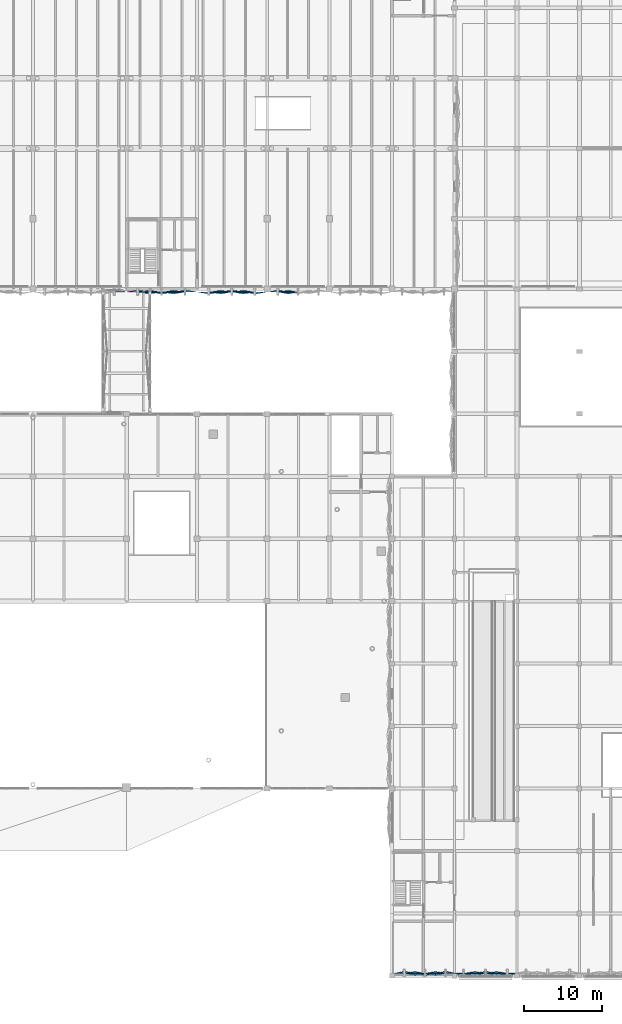
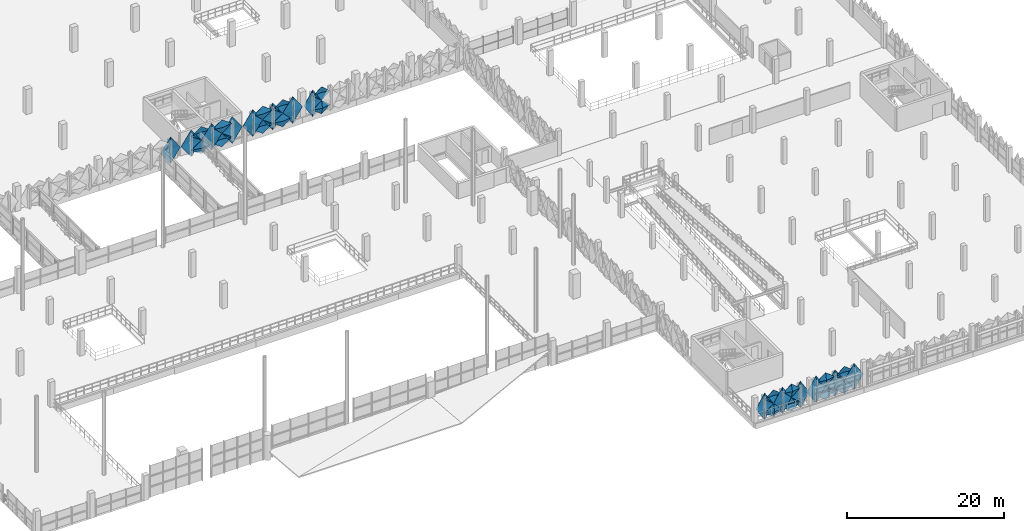
# One storey, part 93 of 123: 32 plates.
"""IFC4 building model written with IfcOpenShell, lengths in metres."""

from ifc_helpers import new_model, si_unit, derived_unit, direction, frame, origin, place, context, subcontext, project, spatial, polygons, material, layer, layer_set, type_object, element, save


model = new_model("IFC4")

# Units and contexts
model_context = context("Model", 3, precision=1e-05, world=origin(), true_north=direction((0.0, 1.0)))
body_context = subcontext(model_context, "Body", "Model", "MODEL_VIEW")
ifc_project = project(units=[si_unit("LENGTHUNIT", "METRE"), si_unit("AREAUNIT", "SQUARE_METRE"), si_unit("VOLUMEUNIT", "CUBIC_METRE"), si_unit("PLANEANGLEUNIT", "RADIAN"), si_unit("MASSUNIT", "GRAM", prefix="KILO"), si_unit("THERMODYNAMICTEMPERATUREUNIT", "KELVIN"), derived_unit("THERMALTRANSMITTANCEUNIT", [(si_unit("POWERUNIT", "WATT"), 1), (si_unit("AREAUNIT", "SQUARE_METRE"), -1), (si_unit("THERMODYNAMICTEMPERATUREUNIT", "KELVIN"), -1)])], contexts=[model_context])

# Site, building, storey
site_placement = place(None, origin())
site = spatial("IfcSite", under=ifc_project, at=site_placement, CompositionType="ELEMENT")
building_placement = place(site_placement, origin())
building = spatial("IfcBuilding", under=site, at=building_placement, Name="Haiyu Intermodal Mobility Hub", CompositionType="ELEMENT")
storey_placement = place(building_placement, frame((0.0, 0.0, 5.60009765625)))
storey = spatial("IfcBuildingStorey", under=building, at=storey_placement, Name="L01", CompositionType="ELEMENT", Elevation=5.60009765625)

# Plates
ifc_material = material(Name="Anodised aluminium 6063-T6", Category="aluminium")
ifc_layer_1 = layer(ifc_material, 0.02001953125)
ifc_layer_set_1 = layer_set([ifc_layer_1], Name="Anodised aluminium 6063-T6")
plate_type_1 = type_object("IfcPlateType", Name="PLT-FC02", PredefinedType="USERDEFINED", material=ifc_layer_set_1)
plate_1_placement = place(storey_placement, origin())
element("IfcPlate", 1, at=plate_1_placement, inside=storey, type_object=plate_type_1, Name="PLT-PYR-0904", ObjectType="FACADE CASSETTE", PredefinedType="USERDEFINED", context=body_context, shape_type="Tessellation", body=[
    polygons([(118.43994140625, 103.60009765625, -0.510009765625), (119.89990234375, 103.60009765625, 1.599853515625), (118.43994140625, 103.60009765625, 3.7099609375), (116.97998046875, 103.60009765625, 1.599853515625), (118.43994140625, 103.860107421875, 1.599853515625), (118.43994140625, 103.6220703125, -0.510009765625), (119.89990234375, 103.6220703125, 1.599853515625), (118.43994140625, 103.6220703125, 3.7099609375), (116.97998046875, 103.6220703125, 1.599853515625), (118.43994140625, 103.882080078125, 1.599853515625)], [[[1, 2, 5]], [[2, 3, 5]], [[3, 4, 5]], [[4, 1, 5]], [[7, 6, 10]], [[8, 7, 10]], [[9, 8, 10]], [[6, 9, 10]], [[1, 6, 7, 2]], [[2, 7, 8, 3]], [[3, 8, 9, 4]], [[4, 9, 6, 1]]], closed=True),
])
ifc_layer_2 = layer(ifc_material, 0.01806640625)
ifc_layer_set_2 = layer_set([ifc_layer_2], Name="Anodised aluminium 6063-T6")
plate_type_2 = type_object("IfcPlateType", Name="PLT-FC03", PredefinedType="USERDEFINED", material=ifc_layer_set_2)
plate_2_placement = place(storey_placement, origin())
element("IfcPlate", 2, at=plate_2_placement, inside=storey, type_object=plate_type_2, Name="PLT-PYR-0945", ObjectType="FACADE CASSETTE", PredefinedType="USERDEFINED", context=body_context, shape_type="Tessellation", body=[
    polygons([(130.552978515625, 103.60009765625, -0.510009765625), (132.007080078125, 103.60009765625, 1.599853515625), (130.552978515625, 103.60009765625, 3.7099609375), (129.10009765625, 103.60009765625, 1.599853515625), (130.552978515625, 103.320068359375, 1.599853515625), (130.552978515625, 103.6220703125, -0.510009765625), (132.007080078125, 103.6220703125, 1.599853515625), (130.552978515625, 103.6220703125, 3.7099609375), (129.10009765625, 103.6220703125, 1.599853515625), (130.552978515625, 103.342041015625, 1.599853515625)], [[[1, 2, 5]], [[2, 3, 5]], [[3, 4, 5]], [[4, 1, 5]], [[7, 6, 10]], [[8, 7, 10]], [[9, 8, 10]], [[6, 9, 10]], [[1, 6, 7, 2]], [[2, 7, 8, 3]], [[3, 8, 9, 4]], [[4, 9, 6, 1]]], closed=True),
])
plate_3_placement = place(storey_placement, origin())
element("IfcPlate", 3, at=plate_3_placement, inside=storey, type_object=plate_type_2, Name="PLT-PYR-0949", ObjectType="FACADE CASSETTE", PredefinedType="USERDEFINED", context=body_context, shape_type="Tessellation", body=[
    polygons([(134.972900390625, 103.60009765625, -0.52001953125), (136.427001953125, 103.60009765625, 0.52978515625), (134.972900390625, 103.60009765625, 1.579833984375), (133.52001953125, 103.60009765625, 0.52978515625), (134.972900390625, 103.340087890625, 0.52978515625), (134.972900390625, 103.6220703125, -0.52001953125), (136.427001953125, 103.6220703125, 0.52978515625), (134.972900390625, 103.6220703125, 1.579833984375), (133.52001953125, 103.6220703125, 0.52978515625), (134.972900390625, 103.362060546875, 0.52978515625)], [[[1, 2, 5]], [[2, 3, 5]], [[3, 4, 5]], [[4, 1, 5]], [[7, 6, 10]], [[8, 7, 10]], [[9, 8, 10]], [[6, 9, 10]], [[1, 6, 7, 2]], [[2, 7, 8, 3]], [[3, 8, 9, 4]], [[4, 9, 6, 1]]], closed=True),
])
plate_4_placement = place(storey_placement, origin())
element("IfcPlate", 4, at=plate_4_placement, inside=storey, type_object=plate_type_2, Name="PLT-PYR-0981", ObjectType="FACADE CASSETTE", PredefinedType="USERDEFINED", context=body_context, shape_type="Tessellation", body=[
    polygons([(140.693115234375, 103.60009765625, -0.52001953125), (141.97998046875, 103.60009765625, 0.52978515625), (140.693115234375, 103.60009765625, 1.579833984375), (139.406982421875, 103.60009765625, 0.52978515625), (140.693115234375, 103.340087890625, 0.52978515625), (140.693115234375, 103.6220703125, -0.52001953125), (141.97998046875, 103.6220703125, 0.52978515625), (140.693115234375, 103.6220703125, 1.579833984375), (139.406982421875, 103.6220703125, 0.52978515625), (140.693115234375, 103.362060546875, 0.52978515625)], [[[1, 2, 5]], [[2, 3, 5]], [[3, 4, 5]], [[4, 1, 5]], [[7, 6, 10]], [[8, 7, 10]], [[9, 8, 10]], [[6, 9, 10]], [[1, 6, 7, 2]], [[2, 7, 8, 3]], [[3, 8, 9, 4]], [[4, 9, 6, 1]]], closed=True),
])
plate_5_placement = place(storey_placement, origin())
element("IfcPlate", 5, at=plate_5_placement, inside=storey, type_object=plate_type_2, Name="PLT-PYR-1480", ObjectType="FACADE CASSETTE", PredefinedType="USERDEFINED", context=body_context, shape_type="Tessellation", body=[
    polygons([(156.93310546875, 16.320068359375, -0.52001953125), (158.22998046875, 16.320068359375, 0.52978515625), (156.93310546875, 16.320068359375, 1.579833984375), (155.636962890625, 16.320068359375, 0.52978515625), (156.93310546875, 16.06005859375, 0.52978515625), (156.93310546875, 16.342041015625, -0.52001953125), (158.22998046875, 16.342041015625, 0.52978515625), (156.93310546875, 16.342041015625, 1.579833984375), (155.636962890625, 16.342041015625, 0.52978515625), (156.93310546875, 16.08203125, 0.52978515625)], [[[1, 2, 5]], [[2, 3, 5]], [[3, 4, 5]], [[4, 1, 5]], [[7, 6, 10]], [[8, 7, 10]], [[9, 8, 10]], [[6, 9, 10]], [[1, 6, 7, 2]], [[2, 7, 8, 3]], [[3, 8, 9, 4]], [[4, 9, 6, 1]]], closed=True),
])
plate_6_placement = place(storey_placement, origin())
element("IfcPlate", 6, at=plate_6_placement, inside=storey, type_object=plate_type_2, Name="PLT-PYR-1486", ObjectType="FACADE CASSETTE", PredefinedType="USERDEFINED", context=body_context, shape_type="Tessellation", body=[
    polygons([(163.199951171875, 16.320068359375, -0.510009765625), (164.580078125, 16.320068359375, 1.599853515625), (163.199951171875, 16.320068359375, 3.7099609375), (161.820068359375, 16.320068359375, 1.599853515625), (163.199951171875, 16.0400390625, 1.599853515625), (163.199951171875, 16.342041015625, -0.510009765625), (164.580078125, 16.342041015625, 1.599853515625), (163.199951171875, 16.342041015625, 3.7099609375), (161.820068359375, 16.342041015625, 1.599853515625), (163.199951171875, 16.06201171875, 1.599853515625)], [[[1, 2, 5]], [[2, 3, 5]], [[3, 4, 5]], [[4, 1, 5]], [[7, 6, 10]], [[8, 7, 10]], [[9, 8, 10]], [[6, 9, 10]], [[1, 6, 7, 2]], [[2, 7, 8, 3]], [[3, 8, 9, 4]], [[4, 9, 6, 1]]], closed=True),
])
plate_7_placement = place(storey_placement, origin())
element("IfcPlate", 7, at=plate_7_placement, inside=storey, type_object=plate_type_2, Name="PLT-PYR-1490", ObjectType="FACADE CASSETTE", PredefinedType="USERDEFINED", context=body_context, shape_type="Tessellation", body=[
    polygons([(167.39990234375, 16.320068359375, -0.52001953125), (168.780029296875, 16.320068359375, 0.52978515625), (167.39990234375, 16.320068359375, 1.579833984375), (166.02001953125, 16.320068359375, 0.52978515625), (167.39990234375, 16.06005859375, 0.52978515625), (167.39990234375, 16.342041015625, -0.52001953125), (168.780029296875, 16.342041015625, 0.52978515625), (167.39990234375, 16.342041015625, 1.579833984375), (166.02001953125, 16.342041015625, 0.52978515625), (167.39990234375, 16.08203125, 0.52978515625)], [[[1, 2, 5]], [[2, 3, 5]], [[3, 4, 5]], [[4, 1, 5]], [[7, 6, 10]], [[8, 7, 10]], [[9, 8, 10]], [[6, 9, 10]], [[1, 6, 7, 2]], [[2, 7, 8, 3]], [[3, 8, 9, 4]], [[4, 9, 6, 1]]], closed=True),
])
plate_8_placement = place(storey_placement, origin())
element("IfcPlate", 8, at=plate_8_placement, inside=storey, type_object=plate_type_2, Name="PLT-PYR-2198", ObjectType="FACADE CASSETTE", PredefinedType="USERDEFINED", context=body_context, shape_type="Tessellation", body=[
    polygons([(122.98291015625, 103.60009765625, -0.52001953125), (124.47998046875, 103.60009765625, 0.52978515625), (122.98291015625, 103.60009765625, 1.579833984375), (121.487060546875, 103.60009765625, 0.52978515625), (122.98291015625, 103.340087890625, 0.52978515625), (122.98291015625, 103.6220703125, -0.52001953125), (124.47998046875, 103.6220703125, 0.52978515625), (122.98291015625, 103.6220703125, 1.579833984375), (121.487060546875, 103.6220703125, 0.52978515625), (122.98291015625, 103.362060546875, 0.52978515625)], [[[1, 2, 5]], [[2, 3, 5]], [[3, 4, 5]], [[4, 1, 5]], [[7, 6, 10]], [[8, 7, 10]], [[9, 8, 10]], [[6, 9, 10]], [[1, 6, 7, 2]], [[2, 7, 8, 3]], [[3, 8, 9, 4]], [[4, 9, 6, 1]]], closed=True),
])
ifc_layer_3 = layer(ifc_material, 0.02001953125)
ifc_layer_set_3 = layer_set([ifc_layer_3], Name="Anodised aluminium 6063-T6")
plate_type_3 = type_object("IfcPlateType", Name="PLT-FC04", PredefinedType="USERDEFINED", material=ifc_layer_set_3)
plate_9_placement = place(storey_placement, origin())
element("IfcPlate", 9, at=plate_9_placement, inside=storey, type_object=plate_type_3, Name="PLT-PYR-0946", ObjectType="FACADE CASSETTE", PredefinedType="USERDEFINED", context=body_context, shape_type="Tessellation", body=[
    polygons([(132.027099609375, 103.60009765625, -0.52001953125), (133.47998046875, 103.60009765625, 0.52978515625), (132.027099609375, 103.60009765625, 1.579833984375), (130.572998046875, 103.60009765625, 0.52978515625), (132.027099609375, 103.820068359375, 0.52978515625), (132.027099609375, 103.6220703125, -0.52001953125), (133.47998046875, 103.6220703125, 0.52978515625), (132.027099609375, 103.6220703125, 1.579833984375), (130.572998046875, 103.6220703125, 0.52978515625), (132.027099609375, 103.842041015625, 0.52978515625)], [[[1, 2, 5]], [[2, 3, 5]], [[3, 4, 5]], [[4, 1, 5]], [[7, 6, 10]], [[8, 7, 10]], [[9, 8, 10]], [[6, 9, 10]], [[1, 6, 7, 2]], [[2, 7, 8, 3]], [[3, 8, 9, 4]], [[4, 9, 6, 1]]], closed=True),
])
plate_10_placement = place(storey_placement, origin())
element("IfcPlate", 10, at=plate_10_placement, inside=storey, type_object=plate_type_3, Name="PLT-PYR-0980", ObjectType="FACADE CASSETTE", PredefinedType="USERDEFINED", context=body_context, shape_type="Tessellation", body=[
    polygons([(139.386962890625, 103.60009765625, -0.510009765625), (140.673095703125, 103.60009765625, 1.599853515625), (139.386962890625, 103.60009765625, 3.7099609375), (138.10009765625, 103.60009765625, 1.599853515625), (139.386962890625, 103.860107421875, 1.599853515625), (139.386962890625, 103.6220703125, -0.510009765625), (140.673095703125, 103.6220703125, 1.599853515625), (139.386962890625, 103.6220703125, 3.7099609375), (138.10009765625, 103.6220703125, 1.599853515625), (139.386962890625, 103.882080078125, 1.599853515625)], [[[1, 2, 5]], [[2, 3, 5]], [[3, 4, 5]], [[4, 1, 5]], [[7, 6, 10]], [[8, 7, 10]], [[9, 8, 10]], [[6, 9, 10]], [[1, 6, 7, 2]], [[2, 7, 8, 3]], [[3, 8, 9, 4]], [[4, 9, 6, 1]]], closed=True),
])
plate_11_placement = place(storey_placement, origin())
element("IfcPlate", 11, at=plate_11_placement, inside=storey, type_object=plate_type_3, Name="PLT-PYR-1479", ObjectType="FACADE CASSETTE", PredefinedType="USERDEFINED", context=body_context, shape_type="Tessellation", body=[
    polygons([(155.616943359375, 16.320068359375, -0.510009765625), (156.9130859375, 16.320068359375, 1.599853515625), (155.616943359375, 16.320068359375, 3.7099609375), (154.320068359375, 16.320068359375, 1.599853515625), (155.616943359375, 16.580078125, 1.599853515625), (155.616943359375, 16.342041015625, -0.510009765625), (156.9130859375, 16.342041015625, 1.599853515625), (155.616943359375, 16.342041015625, 3.7099609375), (154.320068359375, 16.342041015625, 1.599853515625), (155.616943359375, 16.60205078125, 1.599853515625)], [[[1, 2, 5]], [[2, 3, 5]], [[3, 4, 5]], [[4, 1, 5]], [[7, 6, 10]], [[8, 7, 10]], [[9, 8, 10]], [[6, 9, 10]], [[1, 6, 7, 2]], [[2, 7, 8, 3]], [[3, 8, 9, 4]], [[4, 9, 6, 1]]], closed=True),
])
plate_12_placement = place(storey_placement, origin())
element("IfcPlate", 12, at=plate_12_placement, inside=storey, type_object=plate_type_3, Name="PLT-PYR-1483", ObjectType="FACADE CASSETTE", PredefinedType="USERDEFINED", context=body_context, shape_type="Tessellation", body=[
    polygons([(159.56689453125, 16.320068359375, -0.52001953125), (160.863037109375, 16.320068359375, 0.52978515625), (159.56689453125, 16.320068359375, 1.579833984375), (158.27001953125, 16.320068359375, 0.52978515625), (159.56689453125, 16.5400390625, 0.52978515625), (159.56689453125, 16.342041015625, -0.52001953125), (160.863037109375, 16.342041015625, 0.52978515625), (159.56689453125, 16.342041015625, 1.579833984375), (158.27001953125, 16.342041015625, 0.52978515625), (159.56689453125, 16.56201171875, 0.52978515625)], [[[1, 2, 5]], [[2, 3, 5]], [[3, 4, 5]], [[4, 1, 5]], [[7, 6, 10]], [[8, 7, 10]], [[9, 8, 10]], [[6, 9, 10]], [[1, 6, 7, 2]], [[2, 7, 8, 3]], [[3, 8, 9, 4]], [[4, 9, 6, 1]]], closed=True),
])
plate_13_placement = place(storey_placement, origin())
element("IfcPlate", 13, at=plate_13_placement, inside=storey, type_object=plate_type_3, Name="PLT-PYR-1487", ObjectType="FACADE CASSETTE", PredefinedType="USERDEFINED", context=body_context, shape_type="Tessellation", body=[
    polygons([(164.60009765625, 16.320068359375, -0.52001953125), (165.97998046875, 16.320068359375, 0.52978515625), (164.60009765625, 16.320068359375, 1.579833984375), (163.219970703125, 16.320068359375, 0.52978515625), (164.60009765625, 16.5400390625, 0.52978515625), (164.60009765625, 16.342041015625, -0.52001953125), (165.97998046875, 16.342041015625, 0.52978515625), (164.60009765625, 16.342041015625, 1.579833984375), (163.219970703125, 16.342041015625, 0.52978515625), (164.60009765625, 16.56201171875, 0.52978515625)], [[[1, 2, 5]], [[2, 3, 5]], [[3, 4, 5]], [[4, 1, 5]], [[7, 6, 10]], [[8, 7, 10]], [[9, 8, 10]], [[6, 9, 10]], [[1, 6, 7, 2]], [[2, 7, 8, 3]], [[3, 8, 9, 4]], [[4, 9, 6, 1]]], closed=True),
])
plate_14_placement = place(storey_placement, origin())
element("IfcPlate", 14, at=plate_14_placement, inside=storey, type_object=plate_type_3, Name="PLT-PYR-2197", ObjectType="FACADE CASSETTE", PredefinedType="USERDEFINED", context=body_context, shape_type="Tessellation", body=[
    polygons([(121.467041015625, 103.60009765625, -0.510009765625), (122.962890625, 103.60009765625, 1.599853515625), (121.467041015625, 103.60009765625, 3.7099609375), (119.969970703125, 103.60009765625, 1.599853515625), (121.467041015625, 103.860107421875, 1.599853515625), (121.467041015625, 103.6220703125, -0.510009765625), (122.962890625, 103.6220703125, 1.599853515625), (121.467041015625, 103.6220703125, 3.7099609375), (119.969970703125, 103.6220703125, 1.599853515625), (121.467041015625, 103.882080078125, 1.599853515625)], [[[1, 2, 5]], [[2, 3, 5]], [[3, 4, 5]], [[4, 1, 5]], [[7, 6, 10]], [[8, 7, 10]], [[9, 8, 10]], [[6, 9, 10]], [[1, 6, 7, 2]], [[2, 7, 8, 3]], [[3, 8, 9, 4]], [[4, 9, 6, 1]]], closed=True),
])
plate_15_placement = place(storey_placement, origin())
element("IfcPlate", 15, at=plate_15_placement, inside=storey, type_object=plate_type_3, Name="PLT-PYR-2201", ObjectType="FACADE CASSETTE", PredefinedType="USERDEFINED", context=body_context, shape_type="Tessellation", body=[
    polygons([(126.01708984375, 103.60009765625, -0.52001953125), (127.512939453125, 103.60009765625, 0.52978515625), (126.01708984375, 103.60009765625, 1.579833984375), (124.52001953125, 103.60009765625, 0.52978515625), (126.01708984375, 103.820068359375, 0.52978515625), (126.01708984375, 103.6220703125, -0.52001953125), (127.512939453125, 103.6220703125, 0.52978515625), (126.01708984375, 103.6220703125, 1.579833984375), (124.52001953125, 103.6220703125, 0.52978515625), (126.01708984375, 103.842041015625, 0.52978515625)], [[[1, 2, 5]], [[2, 3, 5]], [[3, 4, 5]], [[4, 1, 5]], [[7, 6, 10]], [[8, 7, 10]], [[9, 8, 10]], [[6, 9, 10]], [[1, 6, 7, 2]], [[2, 7, 8, 3]], [[3, 8, 9, 4]], [[4, 9, 6, 1]]], closed=True),
])
ifc_layer_4 = layer(ifc_material, 0.01806640625)
ifc_layer_set_4 = layer_set([ifc_layer_4], Name="Anodised aluminium 6063-T6")
plate_type_4 = type_object("IfcPlateType", Name="PLT-FC05", PredefinedType="USERDEFINED", material=ifc_layer_set_4)
plate_16_placement = place(storey_placement, origin())
element("IfcPlate", 16, at=plate_16_placement, inside=storey, type_object=plate_type_4, Name="PLT-PYR-0947", ObjectType="FACADE CASSETTE", PredefinedType="USERDEFINED", context=body_context, shape_type="Tessellation", body=[
    polygons([(132.027099609375, 103.60009765625, 1.619873046875), (133.47998046875, 103.60009765625, 2.669921875), (132.027099609375, 103.60009765625, 3.719970703125), (130.572998046875, 103.60009765625, 2.669921875), (132.027099609375, 103.340087890625, 2.669921875), (132.027099609375, 103.6220703125, 1.619873046875), (133.47998046875, 103.6220703125, 2.669921875), (132.027099609375, 103.6220703125, 3.719970703125), (130.572998046875, 103.6220703125, 2.669921875), (132.027099609375, 103.362060546875, 2.669921875)], [[[1, 2, 5]], [[2, 3, 5]], [[3, 4, 5]], [[4, 1, 5]], [[7, 6, 10]], [[8, 7, 10]], [[9, 8, 10]], [[6, 9, 10]], [[1, 6, 7, 2]], [[2, 7, 8, 3]], [[3, 8, 9, 4]], [[4, 9, 6, 1]]], closed=True),
])
plate_17_placement = place(storey_placement, origin())
element("IfcPlate", 17, at=plate_17_placement, inside=storey, type_object=plate_type_4, Name="PLT-PYR-1482", ObjectType="FACADE CASSETTE", PredefinedType="USERDEFINED", context=body_context, shape_type="Tessellation", body=[
    polygons([(158.25, 16.320068359375, -0.510009765625), (159.547119140625, 16.320068359375, 1.599853515625), (158.25, 16.320068359375, 3.7099609375), (156.952880859375, 16.320068359375, 1.599853515625), (158.25, 16.0400390625, 1.599853515625), (158.25, 16.342041015625, -0.510009765625), (159.547119140625, 16.342041015625, 1.599853515625), (158.25, 16.342041015625, 3.7099609375), (156.952880859375, 16.342041015625, 1.599853515625), (158.25, 16.06201171875, 1.599853515625)], [[[1, 2, 5]], [[2, 3, 5]], [[3, 4, 5]], [[4, 1, 5]], [[7, 6, 10]], [[8, 7, 10]], [[9, 8, 10]], [[6, 9, 10]], [[1, 6, 7, 2]], [[2, 7, 8, 3]], [[3, 8, 9, 4]], [[4, 9, 6, 1]]], closed=True),
])
plate_18_placement = place(storey_placement, origin())
element("IfcPlate", 18, at=plate_18_placement, inside=storey, type_object=plate_type_4, Name="PLT-PYR-1484", ObjectType="FACADE CASSETTE", PredefinedType="USERDEFINED", context=body_context, shape_type="Tessellation", body=[
    polygons([(159.56689453125, 16.320068359375, 1.619873046875), (160.863037109375, 16.320068359375, 2.669921875), (159.56689453125, 16.320068359375, 3.719970703125), (158.27001953125, 16.320068359375, 2.669921875), (159.56689453125, 16.06005859375, 2.669921875), (159.56689453125, 16.342041015625, 1.619873046875), (160.863037109375, 16.342041015625, 2.669921875), (159.56689453125, 16.342041015625, 3.719970703125), (158.27001953125, 16.342041015625, 2.669921875), (159.56689453125, 16.08203125, 2.669921875)], [[[1, 2, 5]], [[2, 3, 5]], [[3, 4, 5]], [[4, 1, 5]], [[7, 6, 10]], [[8, 7, 10]], [[9, 8, 10]], [[6, 9, 10]], [[1, 6, 7, 2]], [[2, 7, 8, 3]], [[3, 8, 9, 4]], [[4, 9, 6, 1]]], closed=True),
])
plate_19_placement = place(storey_placement, origin())
element("IfcPlate", 19, at=plate_19_placement, inside=storey, type_object=plate_type_4, Name="PLT-PYR-1488", ObjectType="FACADE CASSETTE", PredefinedType="USERDEFINED", context=body_context, shape_type="Tessellation", body=[
    polygons([(164.60009765625, 16.320068359375, 1.619873046875), (165.97998046875, 16.320068359375, 2.669921875), (164.60009765625, 16.320068359375, 3.719970703125), (163.219970703125, 16.320068359375, 2.669921875), (164.60009765625, 16.06005859375, 2.669921875), (164.60009765625, 16.342041015625, 1.619873046875), (165.97998046875, 16.342041015625, 2.669921875), (164.60009765625, 16.342041015625, 3.719970703125), (163.219970703125, 16.342041015625, 2.669921875), (164.60009765625, 16.08203125, 2.669921875)], [[[1, 2, 5]], [[2, 3, 5]], [[3, 4, 5]], [[4, 1, 5]], [[7, 6, 10]], [[8, 7, 10]], [[9, 8, 10]], [[6, 9, 10]], [[1, 6, 7, 2]], [[2, 7, 8, 3]], [[3, 8, 9, 4]], [[4, 9, 6, 1]]], closed=True),
])
plate_20_placement = place(storey_placement, origin())
element("IfcPlate", 20, at=plate_20_placement, inside=storey, type_object=plate_type_4, Name="PLT-PYR-2200", ObjectType="FACADE CASSETTE", PredefinedType="USERDEFINED", context=body_context, shape_type="Tessellation", body=[
    polygons([(124.5, 103.60009765625, -0.510009765625), (125.9970703125, 103.60009765625, 1.599853515625), (124.5, 103.60009765625, 3.7099609375), (123.0029296875, 103.60009765625, 1.599853515625), (124.5, 103.320068359375, 1.599853515625), (124.5, 103.6220703125, -0.510009765625), (125.9970703125, 103.6220703125, 1.599853515625), (124.5, 103.6220703125, 3.7099609375), (123.0029296875, 103.6220703125, 1.599853515625), (124.5, 103.342041015625, 1.599853515625)], [[[1, 2, 5]], [[2, 3, 5]], [[3, 4, 5]], [[4, 1, 5]], [[7, 6, 10]], [[8, 7, 10]], [[9, 8, 10]], [[6, 9, 10]], [[1, 6, 7, 2]], [[2, 7, 8, 3]], [[3, 8, 9, 4]], [[4, 9, 6, 1]]], closed=True),
])
plate_21_placement = place(storey_placement, origin())
element("IfcPlate", 21, at=plate_21_placement, inside=storey, type_object=plate_type_4, Name="PLT-PYR-2202", ObjectType="FACADE CASSETTE", PredefinedType="USERDEFINED", context=body_context, shape_type="Tessellation", body=[
    polygons([(126.01708984375, 103.60009765625, 1.619873046875), (127.512939453125, 103.60009765625, 2.669921875), (126.01708984375, 103.60009765625, 3.719970703125), (124.52001953125, 103.60009765625, 2.669921875), (126.01708984375, 103.340087890625, 2.669921875), (126.01708984375, 103.6220703125, 1.619873046875), (127.512939453125, 103.6220703125, 2.669921875), (126.01708984375, 103.6220703125, 3.719970703125), (124.52001953125, 103.6220703125, 2.669921875), (126.01708984375, 103.362060546875, 2.669921875)], [[[1, 2, 5]], [[2, 3, 5]], [[3, 4, 5]], [[4, 1, 5]], [[7, 6, 10]], [[8, 7, 10]], [[9, 8, 10]], [[6, 9, 10]], [[1, 6, 7, 2]], [[2, 7, 8, 3]], [[3, 8, 9, 4]], [[4, 9, 6, 1]]], closed=True),
])
ifc_layer_5 = layer(ifc_material, 0.02001953125)
ifc_layer_set_5 = layer_set([ifc_layer_5], Name="Anodised aluminium 6063-T6")
plate_type_5 = type_object("IfcPlateType", Name="PLT-FC06", PredefinedType="USERDEFINED", material=ifc_layer_set_5)
plate_22_placement = place(storey_placement, origin())
element("IfcPlate", 22, at=plate_22_placement, inside=storey, type_object=plate_type_5, Name="PLT-PYR-0948", ObjectType="FACADE CASSETTE", PredefinedType="USERDEFINED", context=body_context, shape_type="Tessellation", body=[
    polygons([(133.5, 103.60009765625, -0.510009765625), (134.952880859375, 103.60009765625, 1.599853515625), (133.5, 103.60009765625, 3.7099609375), (132.047119140625, 103.60009765625, 1.599853515625), (133.5, 103.860107421875, 1.599853515625), (133.5, 103.6220703125, -0.510009765625), (134.952880859375, 103.6220703125, 1.599853515625), (133.5, 103.6220703125, 3.7099609375), (132.047119140625, 103.6220703125, 1.599853515625), (133.5, 103.882080078125, 1.599853515625)], [[[1, 2, 5]], [[2, 3, 5]], [[3, 4, 5]], [[4, 1, 5]], [[7, 6, 10]], [[8, 7, 10]], [[9, 8, 10]], [[6, 9, 10]], [[1, 6, 7, 2]], [[2, 7, 8, 3]], [[3, 8, 9, 4]], [[4, 9, 6, 1]]], closed=True),
])
plate_23_placement = place(storey_placement, origin())
element("IfcPlate", 23, at=plate_23_placement, inside=storey, type_object=plate_type_5, Name="PLT-PYR-0950", ObjectType="FACADE CASSETTE", PredefinedType="USERDEFINED", context=body_context, shape_type="Tessellation", body=[
    polygons([(134.972900390625, 103.60009765625, 1.619873046875), (136.427001953125, 103.60009765625, 2.669921875), (134.972900390625, 103.60009765625, 3.719970703125), (133.52001953125, 103.60009765625, 2.669921875), (134.972900390625, 103.820068359375, 2.669921875), (134.972900390625, 103.6220703125, 1.619873046875), (136.427001953125, 103.6220703125, 2.669921875), (134.972900390625, 103.6220703125, 3.719970703125), (133.52001953125, 103.6220703125, 2.669921875), (134.972900390625, 103.842041015625, 2.669921875)], [[[1, 2, 5]], [[2, 3, 5]], [[3, 4, 5]], [[4, 1, 5]], [[7, 6, 10]], [[8, 7, 10]], [[9, 8, 10]], [[6, 9, 10]], [[1, 6, 7, 2]], [[2, 7, 8, 3]], [[3, 8, 9, 4]], [[4, 9, 6, 1]]], closed=True),
])
plate_24_placement = place(storey_placement, origin())
element("IfcPlate", 24, at=plate_24_placement, inside=storey, type_object=plate_type_5, Name="PLT-PYR-0982", ObjectType="FACADE CASSETTE", PredefinedType="USERDEFINED", context=body_context, shape_type="Tessellation", body=[
    polygons([(140.693115234375, 103.60009765625, 1.619873046875), (141.97998046875, 103.60009765625, 2.669921875), (140.693115234375, 103.60009765625, 3.719970703125), (139.406982421875, 103.60009765625, 2.669921875), (140.693115234375, 103.820068359375, 2.669921875), (140.693115234375, 103.6220703125, 1.619873046875), (141.97998046875, 103.6220703125, 2.669921875), (140.693115234375, 103.6220703125, 3.719970703125), (139.406982421875, 103.6220703125, 2.669921875), (140.693115234375, 103.842041015625, 2.669921875)], [[[1, 2, 5]], [[2, 3, 5]], [[3, 4, 5]], [[4, 1, 5]], [[7, 6, 10]], [[8, 7, 10]], [[9, 8, 10]], [[6, 9, 10]], [[1, 6, 7, 2]], [[2, 7, 8, 3]], [[3, 8, 9, 4]], [[4, 9, 6, 1]]], closed=True),
])
plate_25_placement = place(storey_placement, origin())
element("IfcPlate", 25, at=plate_25_placement, inside=storey, type_object=plate_type_5, Name="PLT-PYR-1481", ObjectType="FACADE CASSETTE", PredefinedType="USERDEFINED", context=body_context, shape_type="Tessellation", body=[
    polygons([(156.93310546875, 16.320068359375, 1.619873046875), (158.22998046875, 16.320068359375, 2.669921875), (156.93310546875, 16.320068359375, 3.719970703125), (155.636962890625, 16.320068359375, 2.669921875), (156.93310546875, 16.5400390625, 2.669921875), (156.93310546875, 16.342041015625, 1.619873046875), (158.22998046875, 16.342041015625, 2.669921875), (156.93310546875, 16.342041015625, 3.719970703125), (155.636962890625, 16.342041015625, 2.669921875), (156.93310546875, 16.56201171875, 2.669921875)], [[[1, 2, 5]], [[2, 3, 5]], [[3, 4, 5]], [[4, 1, 5]], [[7, 6, 10]], [[8, 7, 10]], [[9, 8, 10]], [[6, 9, 10]], [[1, 6, 7, 2]], [[2, 7, 8, 3]], [[3, 8, 9, 4]], [[4, 9, 6, 1]]], closed=True),
])
plate_26_placement = place(storey_placement, origin())
element("IfcPlate", 26, at=plate_26_placement, inside=storey, type_object=plate_type_5, Name="PLT-PYR-1489", ObjectType="FACADE CASSETTE", PredefinedType="USERDEFINED", context=body_context, shape_type="Tessellation", body=[
    polygons([(166.0, 16.320068359375, -0.510009765625), (167.3798828125, 16.320068359375, 1.599853515625), (166.0, 16.320068359375, 3.7099609375), (164.6201171875, 16.320068359375, 1.599853515625), (166.0, 16.580078125, 1.599853515625), (166.0, 16.342041015625, -0.510009765625), (167.3798828125, 16.342041015625, 1.599853515625), (166.0, 16.342041015625, 3.7099609375), (164.6201171875, 16.342041015625, 1.599853515625), (166.0, 16.60205078125, 1.599853515625)], [[[1, 2, 5]], [[2, 3, 5]], [[3, 4, 5]], [[4, 1, 5]], [[7, 6, 10]], [[8, 7, 10]], [[9, 8, 10]], [[6, 9, 10]], [[1, 6, 7, 2]], [[2, 7, 8, 3]], [[3, 8, 9, 4]], [[4, 9, 6, 1]]], closed=True),
])
plate_27_placement = place(storey_placement, origin())
element("IfcPlate", 27, at=plate_27_placement, inside=storey, type_object=plate_type_5, Name="PLT-PYR-1491", ObjectType="FACADE CASSETTE", PredefinedType="USERDEFINED", context=body_context, shape_type="Tessellation", body=[
    polygons([(167.39990234375, 16.320068359375, 1.619873046875), (168.780029296875, 16.320068359375, 2.669921875), (167.39990234375, 16.320068359375, 3.719970703125), (166.02001953125, 16.320068359375, 2.669921875), (167.39990234375, 16.5400390625, 2.669921875), (167.39990234375, 16.342041015625, 1.619873046875), (168.780029296875, 16.342041015625, 2.669921875), (167.39990234375, 16.342041015625, 3.719970703125), (166.02001953125, 16.342041015625, 2.669921875), (167.39990234375, 16.56201171875, 2.669921875)], [[[1, 2, 5]], [[2, 3, 5]], [[3, 4, 5]], [[4, 1, 5]], [[7, 6, 10]], [[8, 7, 10]], [[9, 8, 10]], [[6, 9, 10]], [[1, 6, 7, 2]], [[2, 7, 8, 3]], [[3, 8, 9, 4]], [[4, 9, 6, 1]]], closed=True),
])
plate_28_placement = place(storey_placement, origin())
element("IfcPlate", 28, at=plate_28_placement, inside=storey, type_object=plate_type_5, Name="PLT-PYR-2199", ObjectType="FACADE CASSETTE", PredefinedType="USERDEFINED", context=body_context, shape_type="Tessellation", body=[
    polygons([(122.98291015625, 103.60009765625, 1.619873046875), (124.47998046875, 103.60009765625, 2.669921875), (122.98291015625, 103.60009765625, 3.719970703125), (121.487060546875, 103.60009765625, 2.669921875), (122.98291015625, 103.820068359375, 2.669921875), (122.98291015625, 103.6220703125, 1.619873046875), (124.47998046875, 103.6220703125, 2.669921875), (122.98291015625, 103.6220703125, 3.719970703125), (121.487060546875, 103.6220703125, 2.669921875), (122.98291015625, 103.842041015625, 2.669921875)], [[[1, 2, 5]], [[2, 3, 5]], [[3, 4, 5]], [[4, 1, 5]], [[7, 6, 10]], [[8, 7, 10]], [[9, 8, 10]], [[6, 9, 10]], [[1, 6, 7, 2]], [[2, 7, 8, 3]], [[3, 8, 9, 4]], [[4, 9, 6, 1]]], closed=True),
])
ifc_layer_6 = layer(ifc_material, 0.02197265625)
ifc_layer_set_6 = layer_set([ifc_layer_6], Name="Anodised aluminium 6063-T6")
plate_type_6 = type_object("IfcPlateType", Name="PLT-FC07", PredefinedType="USERDEFINED", material=ifc_layer_set_6)
plate_29_placement = place(storey_placement, origin())
element("IfcPlate", 29, at=plate_29_placement, inside=storey, type_object=plate_type_6, Name="PLT-PYR-0951", ObjectType="FACADE CASSETTE", PredefinedType="USERDEFINED", context=body_context, shape_type="Tessellation", body=[
    polygons([(136.447021484375, 103.60009765625, -0.510009765625), (137.89990234375, 103.60009765625, 1.599853515625), (136.447021484375, 103.60009765625, 3.7099609375), (134.992919921875, 103.60009765625, 1.599853515625), (136.447021484375, 103.320068359375, 1.599853515625), (136.447021484375, 103.6220703125, -0.510009765625), (137.89990234375, 103.6220703125, 1.599853515625), (136.447021484375, 103.6220703125, 3.7099609375), (134.992919921875, 103.6220703125, 1.599853515625), (136.447021484375, 103.342041015625, 1.599853515625)], [[[1, 2, 5]], [[2, 3, 5]], [[3, 4, 5]], [[4, 1, 5]], [[7, 6, 10]], [[8, 7, 10]], [[9, 8, 10]], [[6, 9, 10]], [[1, 6, 7, 2]], [[2, 7, 8, 3]], [[3, 8, 9, 4]], [[4, 9, 6, 1]]], closed=True),
])
plate_30_placement = place(storey_placement, origin())
element("IfcPlate", 30, at=plate_30_placement, inside=storey, type_object=plate_type_6, Name="PLT-PYR-1492", ObjectType="FACADE CASSETTE", PredefinedType="USERDEFINED", context=body_context, shape_type="Tessellation", body=[
    polygons([(168.800048828125, 16.320068359375, -0.510009765625), (170.179931640625, 16.320068359375, 1.599853515625), (168.800048828125, 16.320068359375, 3.7099609375), (167.419921875, 16.320068359375, 1.599853515625), (168.800048828125, 16.0400390625, 1.599853515625), (168.800048828125, 16.342041015625, -0.510009765625), (170.179931640625, 16.342041015625, 1.599853515625), (168.800048828125, 16.342041015625, 3.7099609375), (167.419921875, 16.342041015625, 1.599853515625), (168.800048828125, 16.06201171875, 1.599853515625)], [[[1, 2, 5]], [[2, 3, 5]], [[3, 4, 5]], [[4, 1, 5]], [[7, 6, 10]], [[8, 7, 10]], [[9, 8, 10]], [[6, 9, 10]], [[1, 6, 7, 2]], [[2, 7, 8, 3]], [[3, 8, 9, 4]], [[4, 9, 6, 1]]], closed=True),
])
ifc_layer_7 = layer(ifc_material, 0.02392578125)
ifc_layer_set_7 = layer_set([ifc_layer_7], Name="Anodised aluminium 6063-T6")
plate_type_7 = type_object("IfcPlateType", Name="PLT-FC08", PredefinedType="USERDEFINED", material=ifc_layer_set_7)
plate_31_placement = place(storey_placement, origin())
element("IfcPlate", 31, at=plate_31_placement, inside=storey, type_object=plate_type_7, Name="PLT-PYR-1485", ObjectType="FACADE CASSETTE", PredefinedType="USERDEFINED", context=body_context, shape_type="Tessellation", body=[
    polygons([(160.883056640625, 16.320068359375, -0.510009765625), (162.179931640625, 16.320068359375, 1.599853515625), (160.883056640625, 16.320068359375, 3.7099609375), (159.5869140625, 16.320068359375, 1.599853515625), (160.883056640625, 16.580078125, 1.599853515625), (160.883056640625, 16.342041015625, -0.510009765625), (162.179931640625, 16.342041015625, 1.599853515625), (160.883056640625, 16.342041015625, 3.7099609375), (159.5869140625, 16.342041015625, 1.599853515625), (160.883056640625, 16.60205078125, 1.599853515625)], [[[1, 2, 5]], [[2, 3, 5]], [[3, 4, 5]], [[4, 1, 5]], [[7, 6, 10]], [[8, 7, 10]], [[9, 8, 10]], [[6, 9, 10]], [[1, 6, 7, 2]], [[2, 7, 8, 3]], [[3, 8, 9, 4]], [[4, 9, 6, 1]]], closed=True),
])
plate_32_placement = place(storey_placement, origin())
element("IfcPlate", 32, at=plate_32_placement, inside=storey, type_object=plate_type_7, Name="PLT-PYR-2203", ObjectType="FACADE CASSETTE", PredefinedType="USERDEFINED", context=body_context, shape_type="Tessellation", body=[
    polygons([(127.532958984375, 103.60009765625, -0.510009765625), (129.030029296875, 103.60009765625, 1.599853515625), (127.532958984375, 103.60009765625, 3.7099609375), (126.037109375, 103.60009765625, 1.599853515625), (127.532958984375, 103.860107421875, 1.599853515625), (127.532958984375, 103.6220703125, -0.510009765625), (129.030029296875, 103.6220703125, 1.599853515625), (127.532958984375, 103.6220703125, 3.7099609375), (126.037109375, 103.6220703125, 1.599853515625), (127.532958984375, 103.882080078125, 1.599853515625)], [[[1, 2, 5]], [[2, 3, 5]], [[3, 4, 5]], [[4, 1, 5]], [[7, 6, 10]], [[8, 7, 10]], [[9, 8, 10]], [[6, 9, 10]], [[1, 6, 7, 2]], [[2, 7, 8, 3]], [[3, 8, 9, 4]], [[4, 9, 6, 1]]], closed=True),
])

save(model, "model.ifc")
